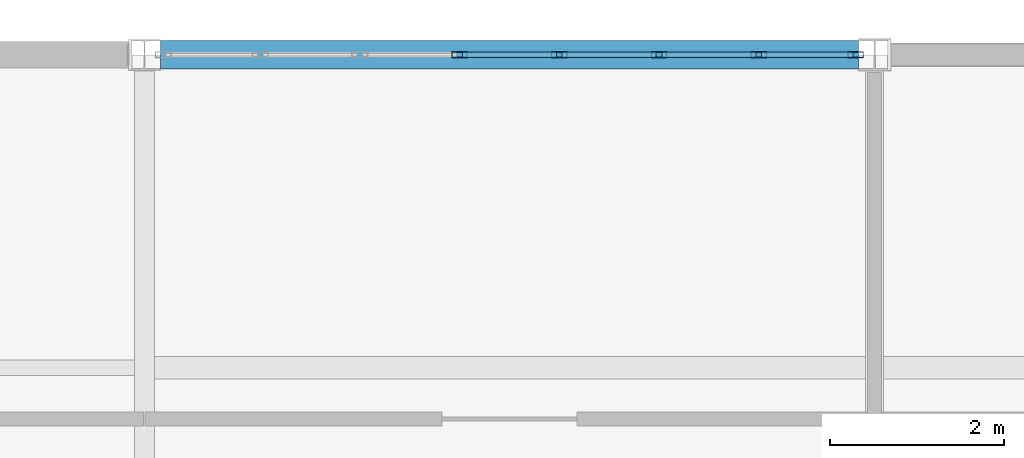
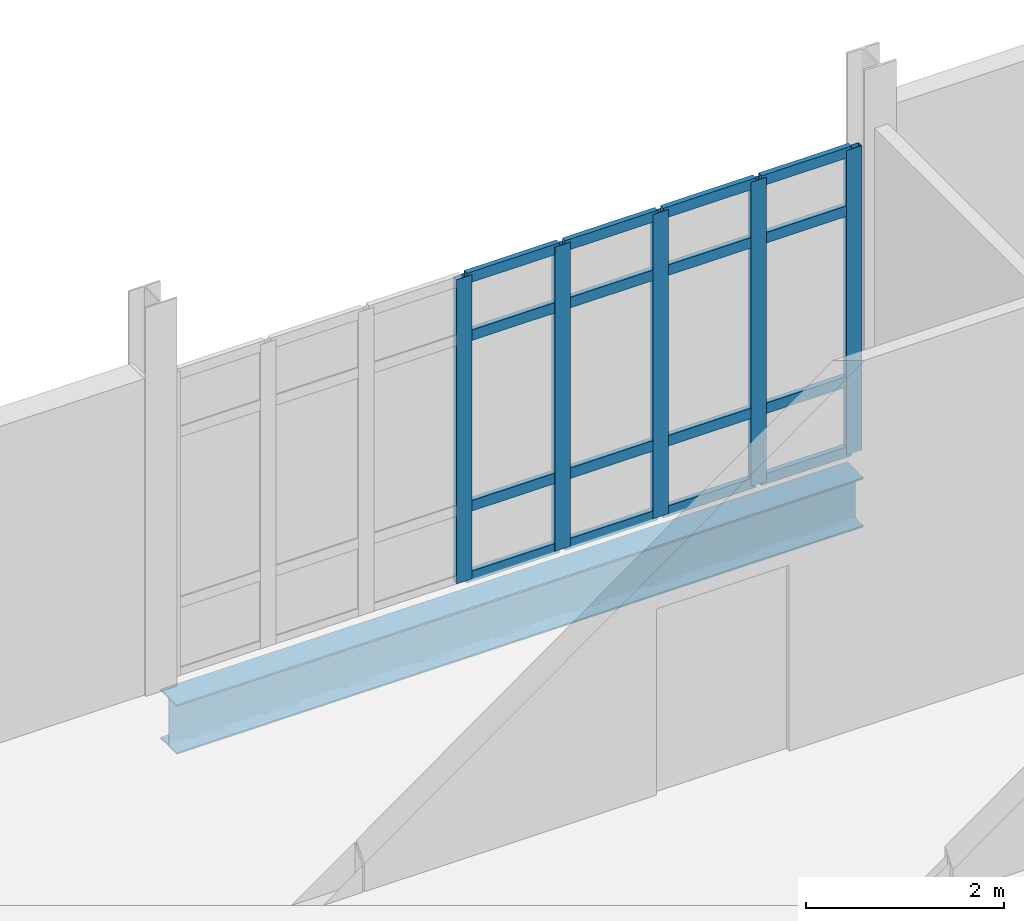
# One storey, part 94 of 186: 21 members, 1 beam, 1 element without a shape of its own.
"""IFC4 building model written with IfcOpenShell, lengths in metres."""

from ifc_helpers import new_model, si_unit, direction, frame, origin, origin_2d, place, context, subcontext, project, spatial, hollow_rectangle, i_section, extrude, material, layer, layer_set, material_profile, profile_set, type_object, element, aggregate, save


model = new_model("IFC4")

# Units and contexts
model_context = context("Model", 3, precision=1e-05, world=origin(), true_north=direction((0.0, 1.0)))
body_context = subcontext(model_context, "Body", "Model", "MODEL_VIEW")
ifc_project = project(units=[si_unit("LENGTHUNIT", "METRE"), si_unit("AREAUNIT", "SQUARE_METRE"), si_unit("VOLUMEUNIT", "CUBIC_METRE"), si_unit("PLANEANGLEUNIT", "RADIAN"), si_unit("MASSUNIT", "GRAM", prefix="KILO")], contexts=[model_context])

# Site, building, storey
site_placement = place(None, origin())
site = spatial("IfcSite", under=ifc_project, at=site_placement, CompositionType="ELEMENT")
building_placement = place(site_placement, origin())
building = spatial("IfcBuilding", under=site, at=building_placement, Name="Calvrana Isthmian Art Gallery", CompositionType="ELEMENT")
storey_placement = place(building_placement, frame((0.0, 0.0, 5.39990234375)))
storey = spatial("IfcBuildingStorey", under=building, at=storey_placement, Name="L01", CompositionType="ELEMENT", Elevation=5.39990234375)

# Beam
ifc_material_1 = material(Name="Steel ASTM A992 Gr 50", Category="steel")
ifc_material_profile_1 = material_profile(ifc_material_1, i_section(OverallWidth=0.324951171875, OverallDepth=0.612060546875, WebThickness=0.0126953125, FlangeThickness=0.01904296875, FilletRadius=0.02197265625, at=origin_2d()), Name="W24X104")
ifc_profile_set_1 = profile_set([ifc_material_profile_1], Name="Steel ASTM A992 Gr 50")
beam_type = type_object("IfcBeamType", Name="BM-G-W24X104", PredefinedType="BEAM", material=ifc_profile_set_1)
beam_placement = place(storey_placement, frame((38.58642578125, 112.800048828125, -0.55078125), z_axis=(1.0, 0.0, 0.0), x_axis=(0.0, 1.0, 0.0)))
element("IfcBeam", 1, at=beam_placement, inside=storey, type_object=beam_type, Name="Girder X L01 06-07/P", PredefinedType="BEAM", context=body_context, shape_type="SweptSolid", body=[
    extrude(i_section(OverallWidth=0.324951171875, OverallDepth=0.612060546875, WebThickness=0.0126953125, FlangeThickness=0.01904296875, FilletRadius=0.02197265625, at=origin_2d()), origin(), (0.0, 0.0, 1.0), 8.027099609375),
])

# Curtain wall, members
ifc_material_2 = material(Name="Anodized bronze aluminium 6063-T6", Category="aluminium")
ifc_layer = layer(ifc_material_2, 0.179931640625, Name="Anodized bronze aluminium 6063-T6")
ifc_layer_set = layer_set([ifc_layer], Name="Anodized bronze aluminium 6063-T6")
curtain_wall_type = type_object("IfcCurtainWallType", Name="CW-UNIT-080X38", PredefinedType="USERDEFINED", material=ifc_layer_set)
curtain_wall_placement = place(storey_placement, origin())
curtain_wall = element("IfcCurtainWall", 2, at=curtain_wall_placement, inside=storey, type_object=curtain_wall_type, Name="Curtain wall CW-116", ObjectType="UNITISED CURTAIN WALL", PredefinedType="USERDEFINED")
ifc_material_profile_2 = material_profile(ifc_material_2, hollow_rectangle(XDim=0.06494140625, YDim=0.179931640625, WallThickness=0.00439453125, at=origin_2d()), Name="CWM65X180")
ifc_profile_set_2 = profile_set([ifc_material_profile_2], Name="Anodized bronze aluminium 6063-T6")
member_type_1 = type_object("IfcMemberType", Name="CWM-CWM65X180", PredefinedType="MULLION", material=ifc_profile_set_2)
member_1_placement = place(storey_placement, frame((42.025146484375, 112.800048828125, 0.0), z_axis=(0.0, 0.0, 1.0), x_axis=(0.0, 1.0, 0.0)))
member_1 = element("IfcMember", 3, at=member_1_placement, type_object=member_type_1, Name="CW-116 mullion 4", PredefinedType="MULLION", context=body_context, shape_type="SweptSolid", body=[
    extrude(hollow_rectangle(XDim=0.06494140625, YDim=0.179931640625, WallThickness=0.00439453125, at=origin_2d()), origin(), (0.0, 0.0, 1.0), 3.758056640625),
])
member_2_placement = place(storey_placement, frame((43.17236328125, 112.800048828125, 0.0), z_axis=(0.0, 0.0, 1.0), x_axis=(0.0, 1.0, 0.0)))
member_2 = element("IfcMember", 4, at=member_2_placement, type_object=member_type_1, Name="CW-116 mullion 5", PredefinedType="MULLION", context=body_context, shape_type="SweptSolid", body=[
    extrude(hollow_rectangle(XDim=0.06494140625, YDim=0.179931640625, WallThickness=0.00439453125, at=origin_2d()), origin(), (0.0, 0.0, 1.0), 3.758056640625),
])
member_3_placement = place(storey_placement, frame((44.3193359375, 112.800048828125, 0.0), z_axis=(0.0, 0.0, 1.0), x_axis=(0.0, 1.0, 0.0)))
member_3 = element("IfcMember", 5, at=member_3_placement, type_object=member_type_1, Name="CW-116 mullion 6", PredefinedType="MULLION", context=body_context, shape_type="SweptSolid", body=[
    extrude(hollow_rectangle(XDim=0.06494140625, YDim=0.179931640625, WallThickness=0.00439453125, at=origin_2d()), origin(), (0.0, 0.0, 1.0), 3.758056640625),
])
member_4_placement = place(storey_placement, frame((45.46630859375, 112.800048828125, 0.0), z_axis=(0.0, 0.0, 1.0), x_axis=(0.0, 1.0, 0.0)))
member_4 = element("IfcMember", 6, at=member_4_placement, type_object=member_type_1, Name="CW-116 mullion 7", PredefinedType="MULLION", context=body_context, shape_type="SweptSolid", body=[
    extrude(hollow_rectangle(XDim=0.06494140625, YDim=0.179931640625, WallThickness=0.00439453125, at=origin_2d()), origin(), (0.0, 0.0, 1.0), 3.758056640625),
])
member_5_placement = place(storey_placement, frame((46.5810546875, 112.800048828125, 0.0), z_axis=(0.0, 0.0, 1.0), x_axis=(0.0, 1.0, 0.0)))
member_5 = element("IfcMember", 7, at=member_5_placement, type_object=member_type_1, Name="CW-116 mullion 8", PredefinedType="MULLION", context=body_context, shape_type="SweptSolid", body=[
    extrude(hollow_rectangle(XDim=0.06494140625, YDim=0.179931640625, WallThickness=0.00439453125, at=origin_2d()), origin(), (0.0, 0.0, 1.0), 3.758056640625),
])
ifc_material_profile_3 = material_profile(ifc_material_2, hollow_rectangle(XDim=0.06005859375, YDim=0.1298828125, WallThickness=0.00390625, at=origin_2d()), Name="CWT60X130")
ifc_profile_set_3 = profile_set([ifc_material_profile_3], Name="Anodized bronze aluminium 6063-T6")
member_type_2 = type_object("IfcMemberType", Name="CWT-CWT60X130", PredefinedType="USERDEFINED", material=ifc_profile_set_3)
member_6_placement = place(storey_placement, frame((42.0576171875, 112.800048828125, 0.030029296875), z_axis=(1.0, 0.0, 0.0), x_axis=(0.0, 1.0, 0.0)))
member_6 = element("IfcMember", 8, at=member_6_placement, type_object=member_type_2, Name="CW-116 transom 4.1", ObjectType="TRANSOM", PredefinedType="USERDEFINED", context=body_context, shape_type="SweptSolid", body=[
    extrude(hollow_rectangle(XDim=0.06005859375, YDim=0.1298828125, WallThickness=0.00390625, at=origin_2d()), origin(), (0.0, 0.0, 1.0), 1.082275390625),
])
member_7_placement = place(storey_placement, frame((42.0576171875, 112.800048828125, 0.900146484375), z_axis=(1.0, 0.0, 0.0), x_axis=(0.0, 1.0, 0.0)))
member_7 = element("IfcMember", 9, at=member_7_placement, type_object=member_type_2, Name="CW-116 transom 4.2", ObjectType="TRANSOM", PredefinedType="USERDEFINED", context=body_context, shape_type="SweptSolid", body=[
    extrude(hollow_rectangle(XDim=0.06005859375, YDim=0.1298828125, WallThickness=0.00390625, at=origin_2d()), origin(), (0.0, 0.0, 1.0), 1.082275390625),
])
member_8_placement = place(storey_placement, frame((42.0576171875, 112.800048828125, 3.008056640625), z_axis=(1.0, 0.0, 0.0), x_axis=(0.0, 1.0, 0.0)))
member_8 = element("IfcMember", 10, at=member_8_placement, type_object=member_type_2, Name="CW-116 transom 4.3", ObjectType="TRANSOM", PredefinedType="USERDEFINED", context=body_context, shape_type="SweptSolid", body=[
    extrude(hollow_rectangle(XDim=0.06005859375, YDim=0.1298828125, WallThickness=0.00390625, at=origin_2d()), origin(), (0.0, 0.0, 1.0), 1.082275390625),
])
member_9_placement = place(storey_placement, frame((42.0576171875, 112.800048828125, 3.72802734375), z_axis=(1.0, 0.0, 0.0), x_axis=(0.0, 1.0, 0.0)))
member_9 = element("IfcMember", 11, at=member_9_placement, type_object=member_type_2, Name="CW-116 transom 4.4", ObjectType="TRANSOM", PredefinedType="USERDEFINED", context=body_context, shape_type="SweptSolid", body=[
    extrude(hollow_rectangle(XDim=0.06005859375, YDim=0.1298828125, WallThickness=0.00390625, at=origin_2d()), origin(), (0.0, 0.0, 1.0), 1.082275390625),
])
member_10_placement = place(storey_placement, frame((43.204833984375, 112.800048828125, 0.030029296875), z_axis=(1.0, 0.0, 0.0), x_axis=(0.0, 1.0, 0.0)))
member_10 = element("IfcMember", 12, at=member_10_placement, type_object=member_type_2, Name="CW-116 transom 5.1", ObjectType="TRANSOM", PredefinedType="USERDEFINED", context=body_context, shape_type="SweptSolid", body=[
    extrude(hollow_rectangle(XDim=0.06005859375, YDim=0.1298828125, WallThickness=0.00390625, at=origin_2d()), origin(), (0.0, 0.0, 1.0), 1.08203125),
])
member_11_placement = place(storey_placement, frame((43.204833984375, 112.800048828125, 0.900146484375), z_axis=(1.0, 0.0, 0.0), x_axis=(0.0, 1.0, 0.0)))
member_11 = element("IfcMember", 13, at=member_11_placement, type_object=member_type_2, Name="CW-116 transom 5.2", ObjectType="TRANSOM", PredefinedType="USERDEFINED", context=body_context, shape_type="SweptSolid", body=[
    extrude(hollow_rectangle(XDim=0.06005859375, YDim=0.1298828125, WallThickness=0.00390625, at=origin_2d()), origin(), (0.0, 0.0, 1.0), 1.08203125),
])
member_12_placement = place(storey_placement, frame((43.204833984375, 112.800048828125, 3.008056640625), z_axis=(1.0, 0.0, 0.0), x_axis=(0.0, 1.0, 0.0)))
member_12 = element("IfcMember", 14, at=member_12_placement, type_object=member_type_2, Name="CW-116 transom 5.3", ObjectType="TRANSOM", PredefinedType="USERDEFINED", context=body_context, shape_type="SweptSolid", body=[
    extrude(hollow_rectangle(XDim=0.06005859375, YDim=0.1298828125, WallThickness=0.00390625, at=origin_2d()), origin(), (0.0, 0.0, 1.0), 1.08203125),
])
member_13_placement = place(storey_placement, frame((43.204833984375, 112.800048828125, 3.72802734375), z_axis=(1.0, 0.0, 0.0), x_axis=(0.0, 1.0, 0.0)))
member_13 = element("IfcMember", 15, at=member_13_placement, type_object=member_type_2, Name="CW-116 transom 5.4", ObjectType="TRANSOM", PredefinedType="USERDEFINED", context=body_context, shape_type="SweptSolid", body=[
    extrude(hollow_rectangle(XDim=0.06005859375, YDim=0.1298828125, WallThickness=0.00390625, at=origin_2d()), origin(), (0.0, 0.0, 1.0), 1.08203125),
])
member_14_placement = place(storey_placement, frame((44.351806640625, 112.800048828125, 0.030029296875), z_axis=(1.0, 0.0, 0.0), x_axis=(0.0, 1.0, 0.0)))
member_14 = element("IfcMember", 16, at=member_14_placement, type_object=member_type_2, Name="CW-116 transom 6.1", ObjectType="TRANSOM", PredefinedType="USERDEFINED", context=body_context, shape_type="SweptSolid", body=[
    extrude(hollow_rectangle(XDim=0.06005859375, YDim=0.1298828125, WallThickness=0.00390625, at=origin_2d()), origin(), (0.0, 0.0, 1.0), 1.08203125),
])
member_15_placement = place(storey_placement, frame((44.351806640625, 112.800048828125, 0.900146484375), z_axis=(1.0, 0.0, 0.0), x_axis=(0.0, 1.0, 0.0)))
member_15 = element("IfcMember", 17, at=member_15_placement, type_object=member_type_2, Name="CW-116 transom 6.2", ObjectType="TRANSOM", PredefinedType="USERDEFINED", context=body_context, shape_type="SweptSolid", body=[
    extrude(hollow_rectangle(XDim=0.06005859375, YDim=0.1298828125, WallThickness=0.00390625, at=origin_2d()), origin(), (0.0, 0.0, 1.0), 1.08203125),
])
member_16_placement = place(storey_placement, frame((44.351806640625, 112.800048828125, 3.008056640625), z_axis=(1.0, 0.0, 0.0), x_axis=(0.0, 1.0, 0.0)))
member_16 = element("IfcMember", 18, at=member_16_placement, type_object=member_type_2, Name="CW-116 transom 6.3", ObjectType="TRANSOM", PredefinedType="USERDEFINED", context=body_context, shape_type="SweptSolid", body=[
    extrude(hollow_rectangle(XDim=0.06005859375, YDim=0.1298828125, WallThickness=0.00390625, at=origin_2d()), origin(), (0.0, 0.0, 1.0), 1.08203125),
])
member_17_placement = place(storey_placement, frame((44.351806640625, 112.800048828125, 3.72802734375), z_axis=(1.0, 0.0, 0.0), x_axis=(0.0, 1.0, 0.0)))
member_17 = element("IfcMember", 19, at=member_17_placement, type_object=member_type_2, Name="CW-116 transom 6.4", ObjectType="TRANSOM", PredefinedType="USERDEFINED", context=body_context, shape_type="SweptSolid", body=[
    extrude(hollow_rectangle(XDim=0.06005859375, YDim=0.1298828125, WallThickness=0.00390625, at=origin_2d()), origin(), (0.0, 0.0, 1.0), 1.08203125),
])
member_18_placement = place(storey_placement, frame((45.4990234375, 112.800048828125, 0.030029296875), z_axis=(1.0, 0.0, 0.0), x_axis=(0.0, 1.0, 0.0)))
member_18 = element("IfcMember", 20, at=member_18_placement, type_object=member_type_2, Name="CW-116 transom 7.1", ObjectType="TRANSOM", PredefinedType="USERDEFINED", context=body_context, shape_type="SweptSolid", body=[
    extrude(hollow_rectangle(XDim=0.06005859375, YDim=0.1298828125, WallThickness=0.00390625, at=origin_2d()), origin(), (0.0, 0.0, 1.0), 1.049560546875),
])
member_19_placement = place(storey_placement, frame((45.4990234375, 112.800048828125, 0.900146484375), z_axis=(1.0, 0.0, 0.0), x_axis=(0.0, 1.0, 0.0)))
member_19 = element("IfcMember", 21, at=member_19_placement, type_object=member_type_2, Name="CW-116 transom 7.2", ObjectType="TRANSOM", PredefinedType="USERDEFINED", context=body_context, shape_type="SweptSolid", body=[
    extrude(hollow_rectangle(XDim=0.06005859375, YDim=0.1298828125, WallThickness=0.00390625, at=origin_2d()), origin(), (0.0, 0.0, 1.0), 1.049560546875),
])
member_20_placement = place(storey_placement, frame((45.4990234375, 112.800048828125, 3.008056640625), z_axis=(1.0, 0.0, 0.0), x_axis=(0.0, 1.0, 0.0)))
member_20 = element("IfcMember", 22, at=member_20_placement, type_object=member_type_2, Name="CW-116 transom 7.3", ObjectType="TRANSOM", PredefinedType="USERDEFINED", context=body_context, shape_type="SweptSolid", body=[
    extrude(hollow_rectangle(XDim=0.06005859375, YDim=0.1298828125, WallThickness=0.00390625, at=origin_2d()), origin(), (0.0, 0.0, 1.0), 1.049560546875),
])
member_21_placement = place(storey_placement, frame((45.4990234375, 112.800048828125, 3.72802734375), z_axis=(1.0, 0.0, 0.0), x_axis=(0.0, 1.0, 0.0)))
member_21 = element("IfcMember", 23, at=member_21_placement, type_object=member_type_2, Name="CW-116 transom 7.4", ObjectType="TRANSOM", PredefinedType="USERDEFINED", context=body_context, shape_type="SweptSolid", body=[
    extrude(hollow_rectangle(XDim=0.06005859375, YDim=0.1298828125, WallThickness=0.00390625, at=origin_2d()), origin(), (0.0, 0.0, 1.0), 1.049560546875),
])
aggregate(curtain_wall, [member_1, member_2, member_3, member_4, member_5, member_6, member_7, member_8, member_9, member_10, member_11, member_12, member_13, member_14, member_15, member_16, member_17, member_18, member_19, member_20, member_21])

save(model, "model.ifc")
